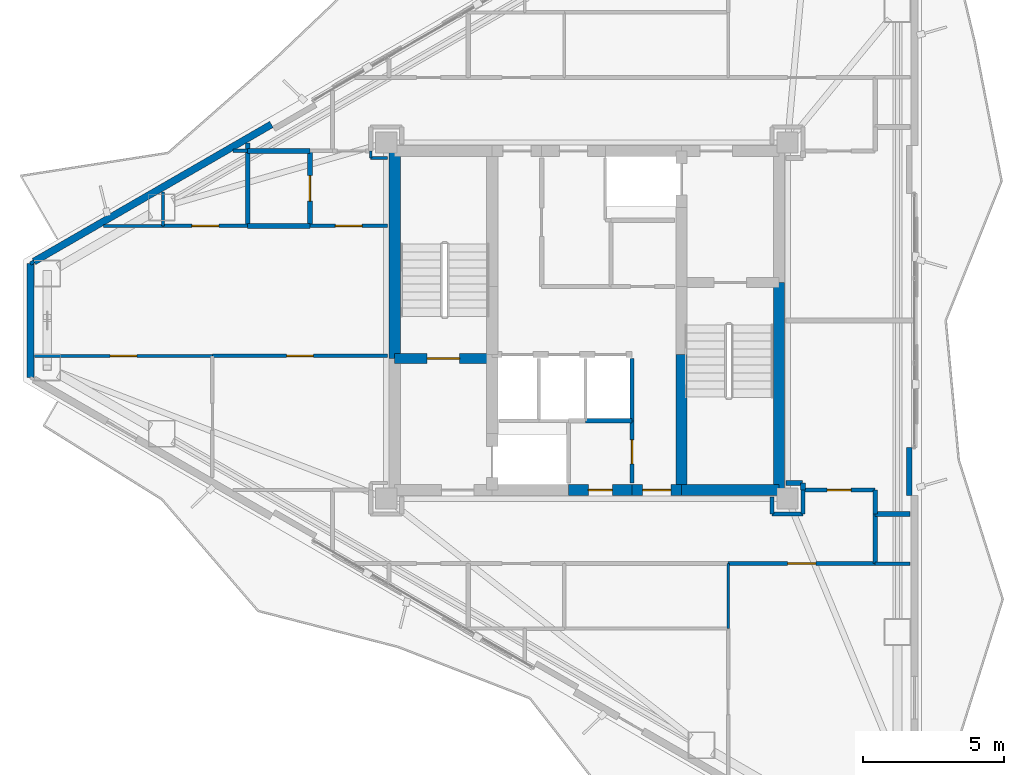
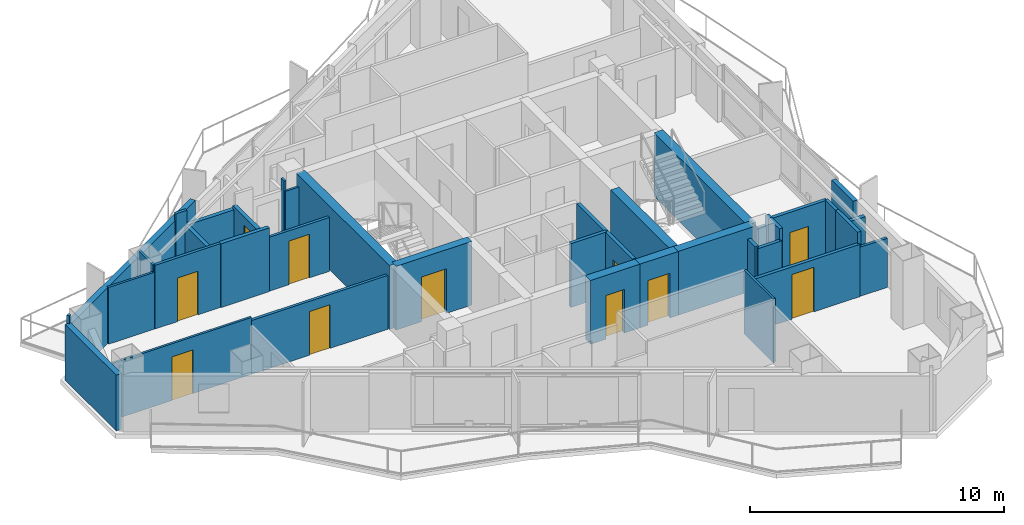
# One storey, part 17 of 21: 39 walls, 11 doors, 11 openings.
"""IFC4 building model written with IfcOpenShell, lengths in metres."""

from ifc_helpers import new_model, si_unit, direction, frame, frame_2d, origin, place, context, subcontext, project, spatial, rectangle, extrude, material, layer, layer_set, type_object, element, fill, save


model = new_model("IFC4")

# Units and contexts
model_context = context("Model", 3, precision=1e-05, world=origin(), true_north=direction((0.0, 1.0)))
body_context = subcontext(model_context, "Body", "Model", "MODEL_VIEW")
ifc_project = project(units=[si_unit("LENGTHUNIT", "METRE"), si_unit("AREAUNIT", "SQUARE_METRE"), si_unit("VOLUMEUNIT", "CUBIC_METRE"), si_unit("PLANEANGLEUNIT", "RADIAN"), si_unit("MASSUNIT", "GRAM", prefix="KILO")], contexts=[model_context])

# Site, building, storey
site_placement = place(None, origin())
site = spatial("IfcSite", under=ifc_project, at=site_placement, CompositionType="ELEMENT")
building_placement = place(site_placement, origin())
building = spatial("IfcBuilding", under=site, at=building_placement, Name="Mersakhor Tower and Convention Hall", CompositionType="ELEMENT")
storey_placement = place(building_placement, frame((0.0, 0.0, 185.39990234375)))
storey = spatial("IfcBuildingStorey", under=building, at=storey_placement, Name="L51", CompositionType="ELEMENT", Elevation=185.39990234375)

# Walls
ifc_material_1 = material(Name="Precast concrete C40/50", Category="concrete")
ifc_layer_1 = layer(ifc_material_1, 0.25)
ifc_layer_set_1 = layer_set([ifc_layer_1], Name="Precast concrete C40/50")
wall_type_1 = type_object("IfcWallType", Name="WL-EXT-250", PredefinedType="SOLIDWALL", material=ifc_layer_set_1)
wall_1_placement = place(storey_placement, frame((9.3076171875, 24.73828125, 0.0), z_axis=(0.0, 0.0, 1.0), x_axis=(0.0, 1.0, 0.0)))
element("IfcWall", 1, at=wall_1_placement, inside=storey, type_object=wall_type_1, Name="L51 Chamfer Braced Spandrel Wall C3", PredefinedType="SOLIDWALL", context=body_context, shape_type="SweptSolid", body=[
    extrude(rectangle(XDim=4.0234375, YDim=0.25, at=frame_2d((2.01171875, 0.0))), origin(), (0.0, 0.0, 1.0), 2.690185546875),
])
wall_2_placement = place(storey_placement, frame((9.4375, 28.836669921875, 0.0), z_axis=(0.0, 0.0, 1.0), x_axis=(0.866027133173, 0.499997004599, 0.0)))
element("IfcWall", 2, at=wall_2_placement, inside=storey, type_object=wall_type_1, Name="L51 Exterior Facade Wall F1-B1", PredefinedType="SOLIDWALL", context=body_context, shape_type="SweptSolid", body=[
    extrude(rectangle(XDim=9.69873046875, YDim=0.25, at=frame_2d((4.849365234375, 0.0))), origin(), (0.0, 0.0, 1.0), 2.690185546875),
])
ifc_material_2 = material(Name="Precast concrete C40/50", Category="concrete")
ifc_layer_2 = layer(ifc_material_2, 0.199951171875)
ifc_layer_set_2 = layer_set([ifc_layer_2], Name="Precast concrete C40/50")
wall_type_2 = type_object("IfcWallType", Name="WL-PAR-200", PredefinedType="PARAPET", material=ifc_layer_set_2)
wall_3_placement = place(storey_placement, frame((40.408447265625, 22.25048828125, 0.0), z_axis=(0.0, 0.0, 1.0), x_axis=(0.0, -1.0, 0.0)))
element("IfcWall", 3, at=wall_3_placement, inside=storey, type_object=wall_type_2, Name="L51 Column Pier Cladding Wall F2-C2", PredefinedType="PARAPET", context=body_context, shape_type="SweptSolid", body=[
    extrude(rectangle(XDim=1.699951171875, YDim=0.199951171875, at=frame_2d((0.85009765625, 0.0))), origin(), (0.0, 0.0, 1.0), 2.690185546875),
])

# Wall, opening, door
ifc_material_3 = material(Name="Moisture-resistant acoustic drywall studwork", Category="other")
ifc_layer_3 = layer(ifc_material_3, 0.175048828125)
ifc_layer_set_3 = layer_set([ifc_layer_3], Name="Moisture-resistant acoustic drywall studwork")
wall_type_3 = type_object("IfcWallType", Name="WL-PLM-175", PredefinedType="PLUMBINGWALL", material=ifc_layer_set_3)
wall_4_placement = place(storey_placement, frame((19.199951171875, 30.10009765625, 0.0), z_axis=(0.0, 0.0, 1.0), x_axis=(0.0, 1.0, 0.0)))
wall_4 = element("IfcWall", 4, at=wall_4_placement, inside=storey, type_object=wall_type_3, Name="L51 Interior Partition Wall P-050", PredefinedType="PLUMBINGWALL", context=body_context, shape_type="SweptSolid", body=[
    extrude(rectangle(XDim=2.64990234375, YDim=0.175048828125, at=frame_2d((1.324951171875, 0.0))), origin(), (0.0, 0.0, 1.0), 2.518310546875),
])
opening_1_placement = place(wall_4_placement, frame((0.875, 0.0, 0.0)))
opening_1 = element("IfcOpeningElement", 5, at=opening_1_placement, cuts=wall_4, Name="Opening WD-01", PredefinedType="OPENING", context=body_context, shape_type="SweptSolid", body=[
    extrude(rectangle(XDim=0.89990234375, YDim=2.10009765625, at=frame_2d((0.449951171875, 1.050048828125))), frame((0.0, 0.097412109375, 0.0), z_axis=(0.0, -1.0, 0.0), x_axis=(1.0, 0.0, 0.0)), (0.0, 0.0, 1.0), 0.195068359375),
])
ifc_material_4 = material(Name="Solid-core hardwood leaf in painted steel frame", Category="steel")
door_type_1 = type_object("IfcDoorType", Name="DR-INT-WET-090x210", OperationType="NOTDEFINED", PredefinedType="DOOR", material=ifc_material_4)
door_1_placement = place(opening_1_placement, origin())
door_1 = element("IfcDoor", 6, at=door_1_placement, inside=storey, type_object=door_type_1, Name="L51 L51 Flat W3 Apartment Hall to L51 Flat W3 Bathroom Door", OperationType="SINGLE_SWING_LEFT", OverallHeight=2.10009765625, OverallWidth=0.89990234375, PredefinedType="DOOR", context=body_context, shape_type="SweptSolid", body=[
    extrude(rectangle(XDim=0.89990234375, YDim=2.10009765625, at=frame_2d((0.449951171875, 1.050048828125))), frame((0.0, 0.02490234375, 0.0), z_axis=(0.0, -1.0, 0.0), x_axis=(1.0, 0.0, 0.0)), (0.0, 0.0, 1.0), 0.050048828125),
])
fill(opening_1, door_1)

# Walls
wall_5_placement = place(storey_placement, frame((36.64990234375, 20.75, 0.0), z_axis=(0.0, 0.0, 1.0), x_axis=(0.0, 1.0, 0.0)))
element("IfcWall", 7, at=wall_5_placement, inside=storey, type_object=wall_type_3, Name="L51 Interior Partition Wall P-057", PredefinedType="PLUMBINGWALL", context=body_context, shape_type="SweptSolid", body=[
    extrude(rectangle(XDim=0.25, YDim=0.175048828125, at=frame_2d((0.125, 0.0))), origin(), (0.0, 0.0, 1.0), 3.070068359375),
])
wall_6_placement = place(storey_placement, frame((36.635009765625, 21.0, 0.0), z_axis=(0.0, 0.0, 1.0), x_axis=(-1.0, 0.0, 0.0)))
element("IfcWall", 8, at=wall_6_placement, inside=storey, type_object=wall_type_3, Name="L51 Interior Partition Wall P-058", PredefinedType="PLUMBINGWALL", context=body_context, shape_type="SweptSolid", body=[
    extrude(rectangle(XDim=0.5849609375, YDim=0.175048828125, at=frame_2d((0.29248046875, 0.0))), origin(), (0.0, 0.0, 1.0), 2.59521484375),
])
wall_7_placement = place(storey_placement, frame((40.439453125, 19.89990234375, 0.0), z_axis=(0.0, 0.0, 1.0), x_axis=(-1.0, 0.0, 0.0)))
element("IfcWall", 9, at=wall_7_placement, inside=storey, type_object=wall_type_3, Name="L51 Interior Partition Wall P-059", PredefinedType="PLUMBINGWALL", context=body_context, shape_type="SweptSolid", body=[
    extrude(rectangle(XDim=1.239501953125, YDim=0.175048828125, at=frame_2d((0.61962890625, 0.0))), origin(), (0.0, 0.0, 1.0), 2.364990234375),
])
wall_8_placement = place(storey_placement, frame((17.0, 32.75, 0.0), z_axis=(0.0, 0.0, 1.0), x_axis=(1.0, 0.0, 0.0)))
element("IfcWall", 10, at=wall_8_placement, inside=storey, type_object=wall_type_3, Name="L51 Interior Partition Wall P-060", PredefinedType="PLUMBINGWALL", context=body_context, shape_type="SweptSolid", body=[
    extrude(rectangle(XDim=2.199951171875, YDim=0.175048828125, at=frame_2d((1.10009765625, 0.0))), origin(), (0.0, 0.0, 1.0), 2.364990234375),
])
wall_9_placement = place(storey_placement, frame((19.199951171875, 30.10009765625, 0.0), z_axis=(0.0, 0.0, 1.0), x_axis=(-1.0, 0.0, 0.0)))
element("IfcWall", 11, at=wall_9_placement, inside=storey, type_object=wall_type_3, Name="L51 Interior Partition Wall P-061", PredefinedType="PLUMBINGWALL", context=body_context, shape_type="SweptSolid", body=[
    extrude(rectangle(XDim=2.199951171875, YDim=0.175048828125, at=frame_2d((1.10009765625, 0.0))), origin(), (0.0, 0.0, 1.0), 3.070068359375),
])
wall_10_placement = place(storey_placement, frame((17.0, 30.10009765625, 0.0), z_axis=(0.0, 0.0, 1.0), x_axis=(0.0, 1.0, 0.0)))
element("IfcWall", 12, at=wall_10_placement, inside=storey, type_object=wall_type_3, Name="L51 Interior Partition Wall P-062", PredefinedType="PLUMBINGWALL", context=body_context, shape_type="SweptSolid", body=[
    extrude(rectangle(XDim=2.930908203125, YDim=0.175048828125, at=frame_2d((1.46533203125, 0.0))), origin(), (0.0, 0.0, 1.0), 2.364990234375),
])
ifc_material_5 = material(Name="Lightweight gypsum partition", Category="other")
ifc_layer_4 = layer(ifc_material_5, 0.10009765625)
ifc_layer_set_4 = layer_set([ifc_layer_4], Name="Lightweight gypsum partition")
wall_type_4 = type_object("IfcWallType", Name="WL-PRT-100", PredefinedType="PARTITIONING", material=ifc_layer_set_4)
wall_11_placement = place(storey_placement, frame((21.35009765625, 32.5, 0.0), z_axis=(0.0, 0.0, 1.0), x_axis=(1.0, 0.0, 0.0)))
element("IfcWall", 13, at=wall_11_placement, inside=storey, type_object=wall_type_4, Name="L51 Interior Partition Wall P-048", PredefinedType="PARTITIONING", context=body_context, shape_type="SweptSolid", body=[
    extrude(rectangle(XDim=0.599853515625, YDim=0.10009765625, at=frame_2d((0.2998046875, 0.0))), origin(), (0.0, 0.0, 1.0), 2.59521484375),
])
wall_12_placement = place(storey_placement, frame((21.35009765625, 32.75, 0.0), z_axis=(0.0, 0.0, 1.0), x_axis=(0.0, -1.0, 0.0)))
element("IfcWall", 14, at=wall_12_placement, inside=storey, type_object=wall_type_4, Name="L51 Interior Partition Wall P-052", PredefinedType="PARTITIONING", context=body_context, shape_type="SweptSolid", body=[
    extrude(rectangle(XDim=0.25, YDim=0.10009765625, at=frame_2d((0.125, 0.0))), origin(), (0.0, 0.0, 1.0), 3.070068359375),
])
wall_13_placement = place(storey_placement, frame((14.0, 30.10009765625, 0.0), z_axis=(0.0, 0.0, 1.0), x_axis=(0.0, 1.0, 0.0)))
element("IfcWall", 15, at=wall_13_placement, inside=storey, type_object=wall_type_4, Name="L51 Interior Partition Wall P-064", PredefinedType="PARTITIONING", context=body_context, shape_type="SweptSolid", body=[
    extrude(rectangle(XDim=1.19873046875, YDim=0.10009765625, at=frame_2d((0.599365234375, 0.0))), origin(), (0.0, 0.0, 1.0), 3.070068359375),
])
wall_14_placement = place(storey_placement, frame((34.0, 15.85009765625, 0.0), z_axis=(0.0, 0.0, 1.0), x_axis=(0.0, 1.0, 0.0)))
element("IfcWall", 16, at=wall_14_placement, inside=storey, type_object=wall_type_4, Name="L51 Interior Partition Wall P-072", PredefinedType="PARTITIONING", context=body_context, shape_type="SweptSolid", body=[
    extrude(rectangle(XDim=2.2998046875, YDim=0.10009765625, at=frame_2d((1.14990234375, 0.0))), origin(), (0.0, 0.0, 1.0), 3.070068359375),
])
wall_15_placement = place(storey_placement, frame((11.896484375, 30.10009765625, 0.0), z_axis=(0.0, 0.0, 1.0), x_axis=(1.0, 0.0, 0.0)))
element("IfcWall", 17, at=wall_15_placement, inside=storey, type_object=wall_type_4, Name="L51 Interior Partition Wall P-088", PredefinedType="PARTITIONING", context=body_context, shape_type="SweptSolid", body=[
    extrude(rectangle(XDim=2.103515625, YDim=0.10009765625, at=frame_2d((1.0517578125, 0.0))), origin(), (0.0, 0.0, 1.0), 2.734619140625),
])

# Wall, opening, door
wall_16_placement = place(storey_placement, frame((15.75, 25.5, 0.0), z_axis=(0.0, 0.0, 1.0), x_axis=(-1.0, 0.0, 0.0)))
wall_16 = element("IfcWall", 18, at=wall_16_placement, inside=storey, type_object=wall_type_4, Name="L51 Interior Partition Wall P-090", PredefinedType="PARTITIONING", context=body_context, shape_type="SweptSolid", body=[
    extrude(rectangle(XDim=6.29345703125, YDim=0.10009765625, at=frame_2d((3.146728515625, 0.0))), origin(), (0.0, 0.0, 1.0), 2.734619140625),
])
opening_2_placement = place(wall_16_placement, frame((2.671630859375, 0.0, 0.0)))
opening_2 = element("IfcOpeningElement", 19, at=opening_2_placement, cuts=wall_16, Name="Opening RD-01", PredefinedType="OPENING", context=body_context, shape_type="SweptSolid", body=[
    extrude(rectangle(XDim=0.949951171875, YDim=2.10009765625, at=frame_2d((0.47509765625, 1.050048828125))), frame((0.0, 0.06005859375, 0.0), z_axis=(0.0, -1.0, 0.0), x_axis=(1.0, 0.0, 0.0)), (0.0, 0.0, 1.0), 0.1201171875),
])
ifc_material_6 = material(Name="Solid-core hardwood leaf in painted steel frame", Category="steel")
door_type_2 = type_object("IfcDoorType", Name="DR-INT-RM-095x210", OperationType="NOTDEFINED", PredefinedType="DOOR", material=ifc_material_6)
door_2_placement = place(opening_2_placement, origin())
door_2 = element("IfcDoor", 20, at=door_2_placement, inside=storey, type_object=door_type_2, Name="L51 L51 Flat W3 Living and Dining Room to L51 Flat W3 Bedroom 1 Door", OperationType="SINGLE_SWING_RIGHT", OverallHeight=2.10009765625, OverallWidth=0.949951171875, PredefinedType="DOOR", context=body_context, shape_type="SweptSolid", body=[
    extrude(rectangle(XDim=0.949951171875, YDim=2.10009765625, at=frame_2d((0.47509765625, 1.050048828125))), frame((0.0, 0.02490234375, 0.0), z_axis=(0.0, -1.0, 0.0), x_axis=(1.0, 0.0, 0.0)), (0.0, 0.0, 1.0), 0.050048828125),
])
fill(opening_2, door_2)

ifc_material_7 = material(Name="Gypsum board acoustic partition", Category="other")
ifc_layer_5 = layer(ifc_material_7, 0.125)
ifc_layer_set_5 = layer_set([ifc_layer_5], Name="Gypsum board acoustic partition")
wall_type_5 = type_object("IfcWallType", Name="WL-PRT-125", PredefinedType="PARTITIONING", material=ifc_layer_set_5)
wall_17_placement = place(storey_placement, frame((21.949951171875, 30.10009765625, 0.0), z_axis=(0.0, 0.0, 1.0), x_axis=(-1.0, 0.0, 0.0)))
wall_17 = element("IfcWall", 21, at=wall_17_placement, inside=storey, type_object=wall_type_5, Name="L51 Interior Partition Wall P-049", PredefinedType="PARTITIONING", context=body_context, shape_type="SweptSolid", body=[
    extrude(rectangle(XDim=2.75, YDim=0.125, at=frame_2d((1.375, 0.0))), origin(), (0.0, 0.0, 1.0), 2.59521484375),
])
opening_3_placement = place(wall_17_placement, frame((0.89990234375, 0.0, 0.0)))
opening_3 = element("IfcOpeningElement", 22, at=opening_3_placement, cuts=wall_17, Name="Opening RD-01", PredefinedType="OPENING", context=body_context, shape_type="SweptSolid", body=[
    extrude(rectangle(XDim=0.949951171875, YDim=2.10009765625, at=frame_2d((0.47509765625, 1.050048828125))), frame((0.0, 0.072509765625, 0.0), z_axis=(0.0, -1.0, 0.0), x_axis=(1.0, 0.0, 0.0)), (0.0, 0.0, 1.0), 0.14501953125),
])
door_3_placement = place(opening_3_placement, origin())
door_3 = element("IfcDoor", 23, at=door_3_placement, inside=storey, type_object=door_type_2, Name="L51 L51 Flat W3 Apartment Hall to L51 Flat W3 Living and Dining Room Door", OperationType="SINGLE_SWING_RIGHT", OverallHeight=2.10009765625, OverallWidth=0.949951171875, PredefinedType="DOOR", context=body_context, shape_type="SweptSolid", body=[
    extrude(rectangle(XDim=0.949951171875, YDim=2.10009765625, at=frame_2d((0.47509765625, 1.050048828125))), frame((0.0, 0.02490234375, 0.0), z_axis=(0.0, -1.0, 0.0), x_axis=(1.0, 0.0, 0.0)), (0.0, 0.0, 1.0), 0.050048828125),
])
fill(opening_3, door_3)

wall_18_placement = place(storey_placement, frame((17.0, 30.10009765625, 0.0), z_axis=(0.0, 0.0, 1.0), x_axis=(-1.0, 0.0, 0.0)))
wall_18 = element("IfcWall", 24, at=wall_18_placement, inside=storey, type_object=wall_type_5, Name="L51 Interior Partition Wall P-063", PredefinedType="PARTITIONING", context=body_context, shape_type="SweptSolid", body=[
    extrude(rectangle(XDim=3.0, YDim=0.125, at=frame_2d((1.5, 0.0))), origin(), (0.0, 0.0, 1.0), 3.070068359375),
])
opening_4_placement = place(wall_18_placement, frame((1.02490234375, 0.0, 0.0)))
opening_4 = element("IfcOpeningElement", 25, at=opening_4_placement, cuts=wall_18, Name="Opening RD-01", PredefinedType="OPENING", context=body_context, shape_type="SweptSolid", body=[
    extrude(rectangle(XDim=0.949951171875, YDim=2.10009765625, at=frame_2d((0.47509765625, 1.050048828125))), frame((0.0, 0.072509765625, 0.0), z_axis=(0.0, -1.0, 0.0), x_axis=(1.0, 0.0, 0.0)), (0.0, 0.0, 1.0), 0.14501953125),
])
door_4_placement = place(opening_4_placement, origin())
door_4 = element("IfcDoor", 26, at=door_4_placement, inside=storey, type_object=door_type_2, Name="L51 L51 Flat W3 Kitchen to L51 Flat W3 Living and Dining Room Door", OperationType="SINGLE_SWING_LEFT", OverallHeight=2.10009765625, OverallWidth=0.949951171875, PredefinedType="DOOR", context=body_context, shape_type="SweptSolid", body=[
    extrude(rectangle(XDim=0.949951171875, YDim=2.10009765625, at=frame_2d((0.47509765625, 1.050048828125))), frame((0.0, 0.02490234375, 0.0), z_axis=(0.0, -1.0, 0.0), x_axis=(1.0, 0.0, 0.0)), (0.0, 0.0, 1.0), 0.050048828125),
])
fill(opening_4, door_4)

# Walls
wall_19_placement = place(storey_placement, frame((16.486328125, 32.75, 0.0), z_axis=(0.0, 0.0, 1.0), x_axis=(1.0, 0.0, 0.0)))
element("IfcWall", 27, at=wall_19_placement, inside=storey, type_object=wall_type_5, Name="L51 Interior Partition Wall P-065", PredefinedType="PARTITIONING", context=body_context, shape_type="SweptSolid", body=[
    extrude(rectangle(XDim=0.498779296875, YDim=0.125, at=frame_2d((0.24951171875, 0.0))), origin(), (0.0, 0.0, 1.0), 3.070068359375),
])
wall_20_placement = place(storey_placement, frame((39.199951171875, 18.14990234375, 0.0), z_axis=(0.0, 0.0, 1.0), x_axis=(1.0, 0.0, 0.0)))
element("IfcWall", 28, at=wall_20_placement, inside=storey, type_object=wall_type_5, Name="L51 Interior Partition Wall P-073", PredefinedType="PARTITIONING", context=body_context, shape_type="SweptSolid", body=[
    extrude(rectangle(XDim=1.239501953125, YDim=0.125, at=frame_2d((0.61962890625, 0.0))), origin(), (0.0, 0.0, 1.0), 2.364990234375),
])

# Wall, opening, door
wall_21_placement = place(storey_placement, frame((21.949951171875, 25.5, 0.0), z_axis=(0.0, 0.0, 1.0), x_axis=(-1.0, 0.0, 0.0)))
wall_21 = element("IfcWall", 29, at=wall_21_placement, inside=storey, type_object=wall_type_5, Name="L51 Interior Partition Wall P-089", PredefinedType="PARTITIONING", context=body_context, shape_type="SweptSolid", body=[
    extrude(rectangle(XDim=6.199951171875, YDim=0.125, at=frame_2d((3.10009765625, 0.0))), origin(), (0.0, 0.0, 1.0), 2.59521484375),
])
opening_5_placement = place(wall_21_placement, frame((2.625, 0.0, 0.0)))
opening_5 = element("IfcOpeningElement", 30, at=opening_5_placement, cuts=wall_21, Name="Opening RD-01", PredefinedType="OPENING", context=body_context, shape_type="SweptSolid", body=[
    extrude(rectangle(XDim=0.949951171875, YDim=2.10009765625, at=frame_2d((0.47509765625, 1.050048828125))), frame((0.0, 0.072509765625, 0.0), z_axis=(0.0, -1.0, 0.0), x_axis=(1.0, 0.0, 0.0)), (0.0, 0.0, 1.0), 0.14501953125),
])
door_5_placement = place(opening_5_placement, origin())
door_5 = element("IfcDoor", 31, at=door_5_placement, inside=storey, type_object=door_type_2, Name="L51 L51 Flat W3 Living and Dining Room to L51 Flat W3 Study Room Door", OperationType="SINGLE_SWING_LEFT", OverallHeight=2.10009765625, OverallWidth=0.949951171875, PredefinedType="DOOR", context=body_context, shape_type="SweptSolid", body=[
    extrude(rectangle(XDim=0.949951171875, YDim=2.10009765625, at=frame_2d((0.47509765625, 1.050048828125))), frame((0.0, 0.02490234375, 0.0), z_axis=(0.0, -1.0, 0.0), x_axis=(1.0, 0.0, 0.0)), (0.0, 0.0, 1.0), 0.050048828125),
])
fill(opening_5, door_5)

# Walls
wall_22_placement = place(storey_placement, frame((9.306884765625, 28.761962890625, 0.0), z_axis=(0.0, 0.0, 1.0), x_axis=(0.866239593359, 0.499628829129, 0.0)))
element("IfcWall", 32, at=wall_22_placement, inside=storey, type_object=wall_type_5, Name="L51 Interior Partition Wall P-091", PredefinedType="PARTITIONING", context=body_context, shape_type="SweptSolid", body=[
    extrude(rectangle(XDim=0.150390625, YDim=0.125, at=frame_2d((0.0751953125, 0.0))), origin(), (0.0, 0.0, 1.0), 3.070068359375),
])
ifc_material_8 = material(Name="Fire-rated gypsum board stud partition", Category="other")
ifc_layer_6 = layer(ifc_material_8, 0.14990234375)
ifc_layer_set_6 = layer_set([ifc_layer_6], Name="Fire-rated gypsum board stud partition")
wall_type_6 = type_object("IfcWallType", Name="WL-PRT-150", PredefinedType="PARTITIONING", material=ifc_layer_set_6)
wall_23_placement = place(storey_placement, frame((30.60009765625, 25.39990234375, 0.0), z_axis=(0.0, 0.0, 1.0), x_axis=(0.0, -1.0, 0.0)))
element("IfcWall", 33, at=wall_23_placement, inside=storey, type_object=wall_type_6, Name="L51 Interior Partition Wall P-010", PredefinedType="PARTITIONING", context=body_context, shape_type="SweptSolid", body=[
    extrude(rectangle(XDim=2.199951171875, YDim=0.14990234375, at=frame_2d((1.10009765625, 0.0))), origin(), (0.0, 0.0, 1.0), 3.070068359375),
])
wall_24_placement = place(storey_placement, frame((30.60009765625, 23.199951171875, 0.0), z_axis=(0.0, 0.0, 1.0), x_axis=(-1.0, 0.0, 0.0)))
element("IfcWall", 34, at=wall_24_placement, inside=storey, type_object=wall_type_6, Name="L51 Interior Partition Wall P-011", PredefinedType="PARTITIONING", context=body_context, shape_type="SweptSolid", body=[
    extrude(rectangle(XDim=1.650146484375, YDim=0.14990234375, at=frame_2d((0.8251953125, 0.0))), origin(), (0.0, 0.0, 1.0), 3.070068359375),
])

# Wall, opening, door
wall_25_placement = place(storey_placement, frame((30.60009765625, 21.0, 0.0), z_axis=(0.0, 0.0, 1.0), x_axis=(0.0, 1.0, 0.0)))
wall_25 = element("IfcWall", 35, at=wall_25_placement, inside=storey, type_object=wall_type_6, Name="L51 Interior Partition Wall P-012", PredefinedType="PARTITIONING", context=body_context, shape_type="SweptSolid", body=[
    extrude(rectangle(XDim=2.199951171875, YDim=0.14990234375, at=frame_2d((1.10009765625, 0.0))), origin(), (0.0, 0.0, 1.0), 3.070068359375),
])
opening_6_placement = place(wall_25_placement, frame((0.675048828125, 0.0, 0.0)))
opening_6 = element("IfcOpeningElement", 36, at=opening_6_placement, cuts=wall_25, Name="Opening SVD-01", PredefinedType="OPENING", context=body_context, shape_type="SweptSolid", body=[
    extrude(rectangle(XDim=0.85009765625, YDim=2.10009765625, at=frame_2d((0.425048828125, 1.050048828125))), frame((0.0, 0.0849609375, 0.0), z_axis=(0.0, -1.0, 0.0), x_axis=(1.0, 0.0, 0.0)), (0.0, 0.0, 1.0), 0.169921875),
])
ifc_material_9 = material(Name="Fire-rated hardwood leaf and painted steel frame", Category="steel")
door_type_3 = type_object("IfcDoorType", Name="DR-INT-SVC-085x210", OperationType="NOTDEFINED", PredefinedType="DOOR", material=ifc_material_9)
door_6_placement = place(opening_6_placement, origin())
door_6 = element("IfcDoor", 37, at=door_6_placement, inside=storey, type_object=door_type_3, Name="L51 Central Passenger Lift Lobby to Electrical Switchroom Door", OperationType="SINGLE_SWING_LEFT", OverallHeight=2.10009765625, OverallWidth=0.85009765625, PredefinedType="DOOR", context=body_context, shape_type="SweptSolid", body=[
    extrude(rectangle(XDim=0.85009765625, YDim=2.10009765625, at=frame_2d((0.425048828125, 1.050048828125))), frame((0.0, 0.02490234375, 0.0), z_axis=(0.0, -1.0, 0.0), x_axis=(1.0, 0.0, 0.0)), (0.0, 0.0, 1.0), 0.050048828125),
])
fill(opening_6, door_6)

# Walls
wall_26_placement = place(storey_placement, frame((35.550048828125, 20.5, 0.0), z_axis=(0.0, 0.0, 1.0), x_axis=(0.0, -1.0, 0.0)))
element("IfcWall", 38, at=wall_26_placement, inside=storey, type_object=wall_type_6, Name="L51 Interior Partition Wall P-036", PredefinedType="PARTITIONING", context=body_context, shape_type="SweptSolid", body=[
    extrude(rectangle(XDim=0.60009765625, YDim=0.14990234375, at=frame_2d((0.300048828125, 0.0))), origin(), (0.0, 0.0, 1.0), 2.59521484375),
])
wall_27_placement = place(storey_placement, frame((35.550048828125, 19.89990234375, 0.0), z_axis=(0.0, 0.0, 1.0), x_axis=(1.0, 0.0, 0.0)))
element("IfcWall", 39, at=wall_27_placement, inside=storey, type_object=wall_type_6, Name="L51 Interior Partition Wall P-037", PredefinedType="PARTITIONING", context=body_context, shape_type="SweptSolid", body=[
    extrude(rectangle(XDim=1.099853515625, YDim=0.14990234375, at=frame_2d((0.5498046875, 0.0))), origin(), (0.0, 0.0, 1.0), 2.518310546875),
])
wall_28_placement = place(storey_placement, frame((36.64990234375, 19.89990234375, 0.0), z_axis=(0.0, 0.0, 1.0), x_axis=(0.0, 1.0, 0.0)))
element("IfcWall", 40, at=wall_28_placement, inside=storey, type_object=wall_type_6, Name="L51 Interior Partition Wall P-038", PredefinedType="PARTITIONING", context=body_context, shape_type="SweptSolid", body=[
    extrude(rectangle(XDim=0.85009765625, YDim=0.14990234375, at=frame_2d((0.425048828125, 0.0))), origin(), (0.0, 0.0, 1.0), 3.070068359375),
])

# Wall, opening, door
wall_29_placement = place(storey_placement, frame((36.64990234375, 20.75, 0.0), z_axis=(0.0, 0.0, 1.0), x_axis=(1.0, 0.0, 0.0)))
wall_29 = element("IfcWall", 41, at=wall_29_placement, inside=storey, type_object=wall_type_6, Name="L51 Interior Partition Wall P-039", PredefinedType="PARTITIONING", context=body_context, shape_type="SweptSolid", body=[
    extrude(rectangle(XDim=2.550048828125, YDim=0.14990234375, at=frame_2d((1.27490234375, 0.0))), origin(), (0.0, 0.0, 1.0), 3.070068359375),
])
opening_7_placement = place(wall_29_placement, frame((0.85009765625, 0.0, 0.0)))
opening_7 = element("IfcOpeningElement", 42, at=opening_7_placement, cuts=wall_29, Name="Opening SVD-01", PredefinedType="OPENING", context=body_context, shape_type="SweptSolid", body=[
    extrude(rectangle(XDim=0.85009765625, YDim=2.10009765625, at=frame_2d((0.425048828125, 1.050048828125))), frame((0.0, 0.0849609375, 0.0), z_axis=(0.0, -1.0, 0.0), x_axis=(1.0, 0.0, 0.0)), (0.0, 0.0, 1.0), 0.169921875),
])
door_7_placement = place(opening_7_placement, origin())
door_7 = element("IfcDoor", 43, at=door_7_placement, inside=storey, type_object=door_type_3, Name="L51 Residential South Gallery Corridor to L51 East Wing Public Restroom WC Door", OperationType="SINGLE_SWING_RIGHT", OverallHeight=2.10009765625, OverallWidth=0.85009765625, PredefinedType="DOOR", context=body_context, shape_type="SweptSolid", body=[
    extrude(rectangle(XDim=0.85009765625, YDim=2.10009765625, at=frame_2d((0.425048828125, 1.050048828125))), frame((0.0, 0.02490234375, 0.0), z_axis=(0.0, -1.0, 0.0), x_axis=(1.0, 0.0, 0.0)), (0.0, 0.0, 1.0), 0.050048828125),
])
fill(opening_7, door_7)

# Walls
wall_30_placement = place(storey_placement, frame((39.199951171875, 20.75, 0.0), z_axis=(0.0, 0.0, 1.0), x_axis=(0.0, -1.0, 0.0)))
element("IfcWall", 44, at=wall_30_placement, inside=storey, type_object=wall_type_6, Name="L51 Interior Partition Wall P-040", PredefinedType="PARTITIONING", context=body_context, shape_type="SweptSolid", body=[
    extrude(rectangle(XDim=0.85009765625, YDim=0.14990234375, at=frame_2d((0.425048828125, 0.0))), origin(), (0.0, 0.0, 1.0), 3.070068359375),
])
wall_31_placement = place(storey_placement, frame((39.199951171875, 19.89990234375, 0.0), z_axis=(0.0, 0.0, 1.0), x_axis=(0.0, -1.0, 0.0)))
element("IfcWall", 45, at=wall_31_placement, inside=storey, type_object=wall_type_6, Name="L51 Interior Partition Wall P-041", PredefinedType="PARTITIONING", context=body_context, shape_type="SweptSolid", body=[
    extrude(rectangle(XDim=1.75, YDim=0.14990234375, at=frame_2d((0.875, 0.0))), origin(), (0.0, 0.0, 1.0), 3.070068359375),
])

# Wall, opening, door
wall_32_placement = place(storey_placement, frame((39.199951171875, 18.14990234375, 0.0), z_axis=(0.0, 0.0, 1.0), x_axis=(-1.0, 0.0, 0.0)))
wall_32 = element("IfcWall", 46, at=wall_32_placement, inside=storey, type_object=wall_type_6, Name="L51 Interior Partition Wall P-042", PredefinedType="PARTITIONING", context=body_context, shape_type="SweptSolid", body=[
    extrude(rectangle(XDim=5.199951171875, YDim=0.14990234375, at=frame_2d((2.60009765625, 0.0))), origin(), (0.0, 0.0, 1.0), 2.518310546875),
])
opening_8_placement = place(wall_32_placement, frame((2.10009765625, 0.0, 0.0)))
opening_8 = element("IfcOpeningElement", 47, at=opening_8_placement, cuts=wall_32, Name="Opening FD-01", PredefinedType="OPENING", context=body_context, shape_type="SweptSolid", body=[
    extrude(rectangle(XDim=1.0, YDim=2.14990234375, at=frame_2d((0.5, 1.074951171875))), frame((0.0, 0.0849609375, 0.0), z_axis=(0.0, -1.0, 0.0), x_axis=(1.0, 0.0, 0.0)), (0.0, 0.0, 1.0), 0.169921875),
])
ifc_material_10 = material(Name="Fire-rated hardwood leaf and painted steel frame", Category="steel")
door_type_4 = type_object("IfcDoorType", Name="DR-INT-FLT-100x215", OperationType="NOTDEFINED", PredefinedType="DOOR", material=ifc_material_10)
door_8_placement = place(opening_8_placement, origin())
door_8 = element("IfcDoor", 48, at=door_8_placement, inside=storey, type_object=door_type_4, Name="L51 Residential South Gallery Corridor to L51 South-East Shared Pantry Door", OperationType="SINGLE_SWING_RIGHT", OverallHeight=2.14990234375, OverallWidth=1.0, PredefinedType="DOOR", context=body_context, shape_type="SweptSolid", body=[
    extrude(rectangle(XDim=1.0, YDim=2.14990234375, at=frame_2d((0.5, 1.074951171875))), frame((0.0, 0.02490234375, 0.0), z_axis=(0.0, -1.0, 0.0), x_axis=(1.0, 0.0, 0.0)), (0.0, 0.0, 1.0), 0.050048828125),
])
fill(opening_8, door_8)

ifc_material_11 = material(Name="Concrete C50/60", Category="concrete")
ifc_layer_7 = layer(ifc_material_11, 0.35009765625)
ifc_layer_set_7 = layer_set([ifc_layer_7], Name="Concrete C50/60")
wall_type_7 = type_object("IfcWallType", Name="WL-SHR-350", PredefinedType="SHEAR", material=ifc_layer_set_7)
wall_33_placement = place(storey_placement, frame((22.199951171875, 25.39990234375, 0.0), z_axis=(0.0, 0.0, 1.0), x_axis=(1.0, 0.0, 0.0)))
wall_33 = element("IfcWall", 49, at=wall_33_placement, inside=storey, type_object=wall_type_7, Name="L51 Core Wall CS-ST1-S", PredefinedType="SHEAR", context=body_context, shape_type="SweptSolid", body=[
    extrude(rectangle(XDim=3.449951171875, YDim=0.35009765625, at=frame_2d((1.72509765625, 0.0))), origin(), (0.0, 0.0, 1.0), 3.070068359375),
])
opening_9_placement = place(wall_33_placement, frame((1.14990234375, 0.0, 0.0)))
opening_9 = element("IfcOpeningElement", 50, at=opening_9_placement, cuts=wall_33, Name="Opening SD-01", PredefinedType="OPENING", context=body_context, shape_type="SweptSolid", body=[
    extrude(rectangle(XDim=1.14990234375, YDim=2.14990234375, at=frame_2d((0.574951171875, 1.074951171875))), frame((0.0, 0.18505859375, 0.0), z_axis=(0.0, -1.0, 0.0), x_axis=(1.0, 0.0, 0.0)), (0.0, 0.0, 1.0), 0.3701171875),
])
ifc_material_12 = material(Name="Fire-rated hardwood leaf and painted steel frame", Category="steel")
door_type_5 = type_object("IfcDoorType", Name="DR-INT-STAIR-115x215", OperationType="NOTDEFINED", PredefinedType="DOOR", material=ifc_material_12)
door_9_placement = place(opening_9_placement, origin())
door_9 = element("IfcDoor", 51, at=door_9_placement, inside=storey, type_object=door_type_5, Name="L51 Exit Stair ST-1 Enclosure Door", OperationType="SINGLE_SWING_LEFT", OverallHeight=2.14990234375, OverallWidth=1.14990234375, PredefinedType="DOOR", context=body_context, shape_type="SweptSolid", body=[
    extrude(rectangle(XDim=1.14990234375, YDim=2.14990234375, at=frame_2d((0.574951171875, 1.074951171875))), frame((0.0, 0.02490234375, 0.0), z_axis=(0.0, -1.0, 0.0), x_axis=(1.0, 0.0, 0.0)), (0.0, 0.0, 1.0), 0.050048828125),
])
fill(opening_9, door_9)

# Walls
ifc_material_13 = material(Name="Concrete C60/75", Category="concrete")
ifc_layer_8 = layer(ifc_material_13, 0.39990234375)
ifc_layer_set_8 = layer_set([ifc_layer_8], Name="Concrete C60/75")
wall_type_8 = type_object("IfcWallType", Name="WL-SHR-400", PredefinedType="SHEAR", material=ifc_layer_set_8)
for number, where, z_axis, x_axis, name in (
    (52, (22.199951171875, 25.39990234375, 0.0), (0.0, 0.0, 1.0), (0.0, 1.0, 0.0), "L51 Core Wall CW-W2"),
    (53, (35.800048828125, 28.10009765625, 0.0), (0.0, 0.0, 1.0), (0.0, -1.0, 0.0), "L51 Core Wall CW-E2"),
):
    element("IfcWall", number, at=place(storey_placement, frame(where, z_axis=z_axis, x_axis=x_axis)), inside=storey, type_object=wall_type_8, Name=name, PredefinedType="SHEAR", context=body_context, shape_type="SweptSolid", body=[
        extrude(rectangle(XDim=7.35009765625, YDim=0.39990234375, at=frame_2d((3.675048828125, 0.0))), origin(), (0.0, 0.0, 1.0), 3.070068359375),
    ])
wall_34_placement = place(storey_placement, frame((35.800048828125, 20.75, 0.0), z_axis=(0.0, 0.0, 1.0), x_axis=(-1.0, 0.0, 0.0)))
element("IfcWall", 54, at=wall_34_placement, inside=storey, type_object=wall_type_8, Name="L51 Core Wall CW-S1", PredefinedType="SHEAR", context=body_context, shape_type="SweptSolid", body=[
    extrude(rectangle(XDim=3.449951171875, YDim=0.39990234375, at=frame_2d((1.72509765625, 0.0))), origin(), (0.0, 0.0, 1.0), 3.070068359375),
])

# Wall, opening, door
wall_35_placement = place(storey_placement, frame((32.35009765625, 20.75, 0.0), z_axis=(0.0, 0.0, 1.0), x_axis=(-1.0, 0.0, 0.0)))
wall_35 = element("IfcWall", 55, at=wall_35_placement, inside=storey, type_object=wall_type_8, Name="L51 Core Wall CW-S2A", PredefinedType="SHEAR", context=body_context, shape_type="SweptSolid", body=[
    extrude(rectangle(XDim=1.75, YDim=0.39990234375, at=frame_2d((0.875, 0.0))), origin(), (0.0, 0.0, 1.0), 3.070068359375),
])
opening_10_placement = place(wall_35_placement, frame((0.375, 0.0, 0.0)))
opening_10 = element("IfcOpeningElement", 56, at=opening_10_placement, cuts=wall_35, Name="Opening CFD-01", PredefinedType="OPENING", context=body_context, shape_type="SweptSolid", body=[
    extrude(rectangle(XDim=1.0, YDim=2.14990234375, at=frame_2d((0.5, 1.074951171875))), frame((0.0, 0.2099609375, 0.0), z_axis=(0.0, -1.0, 0.0), x_axis=(1.0, 0.0, 0.0)), (0.0, 0.0, 1.0), 0.419921875),
])
ifc_material_14 = material(Name="Fire-rated hardwood leaf and painted steel frame", Category="steel")
door_type_6 = type_object("IfcDoorType", Name="DR-CORE-FD-100x215", OperationType="NOTDEFINED", PredefinedType="DOOR", material=ifc_material_14)
door_10_placement = place(opening_10_placement, origin())
door_10 = element("IfcDoor", 57, at=door_10_placement, inside=storey, type_object=door_type_6, Name="L51 Lift Lobby South Corridor Door", OperationType="SINGLE_SWING_RIGHT", OverallHeight=2.14990234375, OverallWidth=1.0, PredefinedType="DOOR", context=body_context, shape_type="SweptSolid", body=[
    extrude(rectangle(XDim=1.0, YDim=2.14990234375, at=frame_2d((0.5, 1.074951171875))), frame((0.0, 0.02490234375, 0.0), z_axis=(0.0, -1.0, 0.0), x_axis=(1.0, 0.0, 0.0)), (0.0, 0.0, 1.0), 0.050048828125),
])
fill(opening_10, door_10)

wall_36_placement = place(storey_placement, frame((30.60009765625, 20.75, 0.0), z_axis=(0.0, 0.0, 1.0), x_axis=(-1.0, 0.0, 0.0)))
wall_36 = element("IfcWall", 58, at=wall_36_placement, inside=storey, type_object=wall_type_8, Name="L51 Core Wall CW-S2B", PredefinedType="SHEAR", context=body_context, shape_type="SweptSolid", body=[
    extrude(rectangle(XDim=2.25, YDim=0.39990234375, at=frame_2d((1.125, 0.0))), origin(), (0.0, 0.0, 1.0), 3.070068359375),
])
opening_11_placement = place(wall_36_placement, frame((0.699951171875, 0.0, 0.0)))
opening_11 = element("IfcOpeningElement", 59, at=opening_11_placement, cuts=wall_36, Name="Opening SVD-01", PredefinedType="OPENING", context=body_context, shape_type="SweptSolid", body=[
    extrude(rectangle(XDim=0.85009765625, YDim=2.10009765625, at=frame_2d((0.425048828125, 1.050048828125))), frame((0.0, 0.2099609375, 0.0), z_axis=(0.0, -1.0, 0.0), x_axis=(1.0, 0.0, 0.0)), (0.0, 0.0, 1.0), 0.419921875),
])
door_11_placement = place(opening_11_placement, origin())
door_11 = element("IfcDoor", 60, at=door_11_placement, inside=storey, type_object=door_type_3, Name="L51 Residential South Gallery Corridor to Electrical Switchroom Door", OperationType="SINGLE_SWING_LEFT", OverallHeight=2.10009765625, OverallWidth=0.85009765625, PredefinedType="DOOR", context=body_context, shape_type="SweptSolid", body=[
    extrude(rectangle(XDim=0.85009765625, YDim=2.10009765625, at=frame_2d((0.425048828125, 1.050048828125))), frame((0.0, 0.02490234375, 0.0), z_axis=(0.0, -1.0, 0.0), x_axis=(1.0, 0.0, 0.0)), (0.0, 0.0, 1.0), 0.050048828125),
])
fill(opening_11, door_11)

# Wall
wall_37_placement = place(storey_placement, frame((32.35009765625, 20.75, 0.0), z_axis=(0.0, 0.0, 1.0), x_axis=(0.0, 1.0, 0.0)))
element("IfcWall", 61, at=wall_37_placement, inside=storey, type_object=wall_type_8, Name="L51 Core Wall CS-E-ST2", PredefinedType="SHEAR", context=body_context, shape_type="SweptSolid", body=[
    extrude(rectangle(XDim=4.800048828125, YDim=0.39990234375, at=frame_2d((2.39990234375, 0.0))), origin(), (0.0, 0.0, 1.0), 3.070068359375),
])

save(model, "model.ifc")
